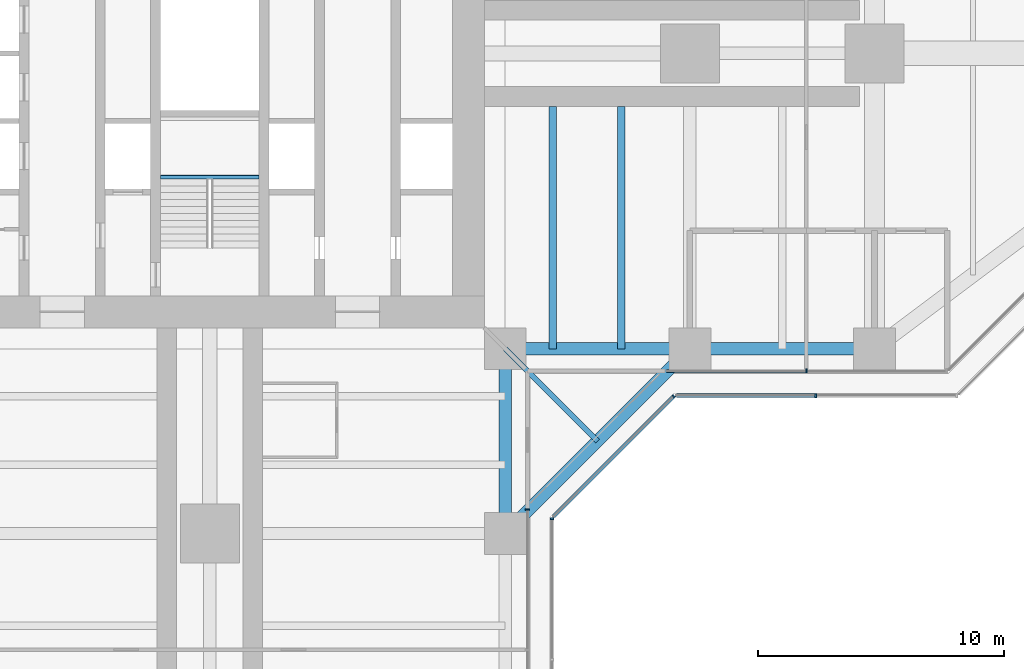
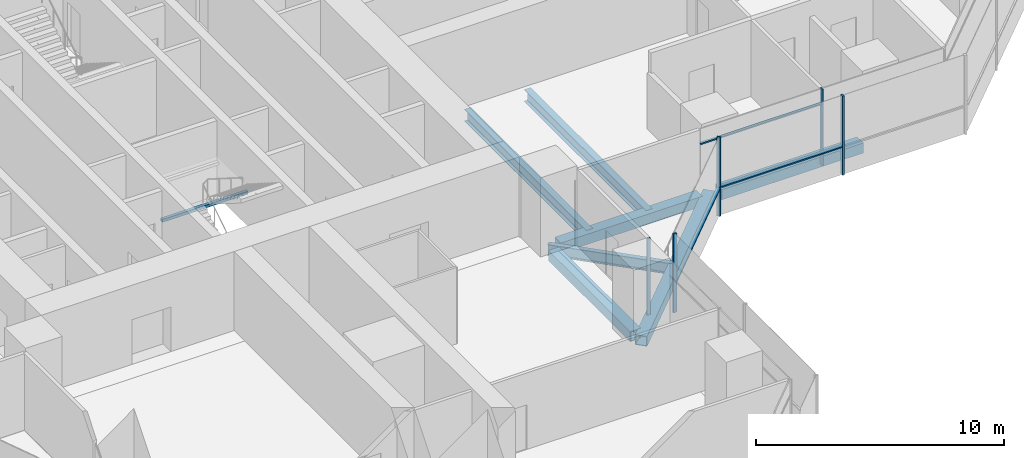
# One storey, part 6 of 22: 8 beams, 8 members, 5 elements without a shape of their own.
"""IFC4 building model written with IfcOpenShell, lengths in metres."""

from ifc_helpers import new_model, si_unit, direction, frame, origin, origin_2d, place, context, subcontext, project, spatial, rectangle, hollow_rectangle, i_section, extrude, material, material_profile, profile_set, type_object, element, aggregate, save


model = new_model("IFC4")

# Units and contexts
model_context = context("Model", 3, precision=1e-05, world=origin(), true_north=direction((0.0, 1.0)))
body_context = subcontext(model_context, "Body", "Model", "MODEL_VIEW")
ifc_project = project(units=[si_unit("LENGTHUNIT", "METRE"), si_unit("AREAUNIT", "SQUARE_METRE"), si_unit("VOLUMEUNIT", "CUBIC_METRE"), si_unit("PLANEANGLEUNIT", "RADIAN"), si_unit("MASSUNIT", "GRAM", prefix="KILO")], contexts=[model_context])

# Site, building, storey
site_placement = place(None, origin())
site = spatial("IfcSite", under=ifc_project, at=site_placement, CompositionType="ELEMENT")
building_placement = place(site_placement, origin())
building = spatial("IfcBuilding", under=site, at=building_placement, Name="Mizan Broadcast Tower", CompositionType="ELEMENT")
storey_placement = place(building_placement, frame((0.0, 0.0, 78.60009765625)))
storey = spatial("IfcBuildingStorey", under=building, at=storey_placement, Name="L16", CompositionType="ELEMENT", Elevation=78.60009765625)

# Beams
ifc_material_1 = material(Name="Steel S355", Category="steel")
ifc_material_profile_1 = material_profile(ifc_material_1, hollow_rectangle(XDim=0.5, YDim=0.5, WallThickness=0.030029296875, at=origin_2d()), Name="BOX 500x500x30")
ifc_profile_set_1 = profile_set([ifc_material_profile_1], Name="Steel S355")
beam_type_1 = type_object("IfcBeamType", Name="EDGE BEAM BOX 500x500x30", PredefinedType="SPANDREL", material=ifc_profile_set_1)
for number, where, z_axis, x_axis, name in (
    (1, (12.449951171875, -12.0, -0.380126953125), (1.0, 0.0, 0.0), (0.0, 1.0, 0.0), "Edge beam BOX 500x500x30 L16 east arm"),
    (2, (19.949951171875, -12.0, -0.380126953125), (1.0, 0.0, 0.0), (0.0, 1.0, 0.0), "Edge beam BOX 500x500x30 L16 east arm"),
    (3, (12.0, -12.449951171875, -0.380126953125), (0.0, -1.0, 0.0), (1.0, 0.0, 0.0), "Edge beam BOX 500x500x30 L16 south arm"),
):
    element("IfcBeam", number, at=place(storey_placement, frame(where, z_axis=z_axis, x_axis=x_axis)), inside=storey, type_object=beam_type_1, Name=name, PredefinedType="SPANDREL", context=body_context, shape_type="SweptSolid", body=[
        extrude(hollow_rectangle(XDim=0.5, YDim=0.5, WallThickness=0.030029296875, at=origin_2d()), origin(), (0.0, 0.0, 1.0), 6.60009765625),
    ])
beam_1_placement = place(storey_placement, frame((12.0, -19.5, -0.380126953125), z_axis=(0.707106781187, 0.707106781187, 0.0), x_axis=(-0.707106781187, 0.707106781187, 0.0)))
element("IfcBeam", 4, at=beam_1_placement, inside=storey, type_object=beam_type_1, Name="Winter garden edge beam L16 S", PredefinedType="SPANDREL", context=body_context, shape_type="SweptSolid", body=[
    extrude(hollow_rectangle(XDim=0.5, YDim=0.5, WallThickness=0.030029296875, at=origin_2d()), origin(), (0.0, 0.0, 1.0), 10.606689453125),
])

# Curtain wall, member
ifc_material_2 = material(Name="Aluminium framed glazing", Category="aluminium")
curtain_wall_type_1 = type_object("IfcCurtainWallType", Name="INNER SKIN LOW ZONE", PredefinedType="USERDEFINED", material=ifc_material_2)
curtain_wall_1_placement = place(storey_placement, origin())
curtain_wall_1 = element("IfcCurtainWall", 5, at=curtain_wall_1_placement, inside=storey, type_object=curtain_wall_type_1, Name="Inner skin low zone L16 E side", ObjectType="INNER SKIN LOW ZONE", PredefinedType="USERDEFINED")
ifc_material_3 = material(Name="Aluminium, pale anodised", Category="aluminium")
ifc_material_profile_2 = material_profile(ifc_material_3, rectangle(XDim=0.159912109375, YDim=0.06005859375, at=origin_2d()), Name="MULLION 160x60")
ifc_profile_set_2 = profile_set([ifc_material_profile_2], Name="Aluminium, pale anodised")
member_type_1 = type_object("IfcMemberType", Name="INNER SKIN MULLION 60x160", PredefinedType="MULLION", material=ifc_profile_set_2)
member_1_placement = place(storey_placement, frame((24.229248046875, -12.89990234375, 0.0), z_axis=(0.0, 0.0, 1.0), x_axis=(0.0, 1.0, 0.0)))
member_1 = element("IfcMember", 6, at=member_1_placement, type_object=member_type_1, Name="Inner skin low zone L16 E side mullion 2", PredefinedType="MULLION", context=body_context, shape_type="SweptSolid", body=[
    extrude(rectangle(XDim=0.159912109375, YDim=0.06005859375, at=origin_2d()), origin(), (0.0, 0.0, 1.0), 3.77001953125),
])

curtain_wall_2_placement = place(storey_placement, origin())
curtain_wall_2 = element("IfcCurtainWall", 7, at=curtain_wall_2_placement, inside=storey, type_object=curtain_wall_type_1, Name="Inner skin low zone L16 S side", ObjectType="INNER SKIN LOW ZONE", PredefinedType="USERDEFINED")
member_2_placement = place(storey_placement, frame((12.89990234375, -18.530029296875, 0.0), z_axis=(0.0, 0.0, 1.0), x_axis=(-1.0, 0.0, 0.0)))
member_2 = element("IfcMember", 8, at=member_2_placement, type_object=member_type_1, Name="Inner skin low zone L16 S side mullion 3", PredefinedType="MULLION", context=body_context, shape_type="SweptSolid", body=[
    extrude(rectangle(XDim=0.159912109375, YDim=0.06005859375, at=origin_2d()), origin(), (0.0, 0.0, 1.0), 3.77001953125),
])
aggregate(curtain_wall_2, [member_2])

# Member
ifc_material_4 = material(Name="Aluminium, pale anodised", Category="aluminium")
ifc_material_profile_3 = material_profile(ifc_material_4, rectangle(XDim=0.1201171875, YDim=0.06005859375, at=origin_2d()), Name="TRANSOM 120x60")
ifc_profile_set_3 = profile_set([ifc_material_profile_3], Name="Aluminium, pale anodised")
member_type_2 = type_object("IfcMemberType", Name="INNER SKIN TRANSOM 60x120", PredefinedType="USERDEFINED", material=ifc_profile_set_3)
member_3_placement = place(storey_placement, frame((18.56005859375, -12.89990234375, 3.02978515625), z_axis=(1.0, 0.0, 0.0), x_axis=(0.0, 1.0, 0.0)))
member_3 = element("IfcMember", 9, at=member_3_placement, type_object=member_type_2, Name="Inner skin low zone L16 E side transom 1.1", ObjectType="TRANSOM", PredefinedType="USERDEFINED", context=body_context, shape_type="SweptSolid", body=[
    extrude(rectangle(XDim=0.1201171875, YDim=0.06005859375, at=origin_2d()), origin(), (0.0, 0.0, 1.0), 5.63916015625),
])

aggregate(curtain_wall_1, [member_1, member_3])

# Beam
ifc_material_5 = material(Name="Steel S355", Category="steel")
ifc_material_profile_4 = material_profile(ifc_material_5, hollow_rectangle(XDim=0.14990234375, YDim=0.14990234375, WallThickness=0.008056640625, InnerFilletRadius=0.008056640625, OuterFilletRadius=0.011962890625, at=origin_2d()), Name="SHS 150x150x8")
ifc_profile_set_4 = profile_set([ifc_material_profile_4], Name="Steel S355")
beam_type_2 = type_object("IfcBeamType", Name="LANDING TRIMMER SHS 150x150x8", PredefinedType="BEAM", material=ifc_profile_set_4)
beam_2_placement = place(storey_placement, frame((-2.0, -5.02490234375, 1.6748046875), z_axis=(1.0, 0.0, 0.0), x_axis=(0.0, 1.0, 0.0)))
element("IfcBeam", 10, at=beam_2_placement, inside=storey, type_object=beam_type_2, Name="Stair A landing trimmer L16", PredefinedType="BEAM", context=body_context, shape_type="SweptSolid", body=[
    extrude(hollow_rectangle(XDim=0.14990234375, YDim=0.14990234375, WallThickness=0.008056640625, InnerFilletRadius=0.008056640625, OuterFilletRadius=0.011962890625, at=origin_2d()), origin(), (0.0, 0.0, 1.0), 4.0),
])

# Curtain wall, member
ifc_material_6 = material(Name="Aluminium framed glazing", Category="aluminium")
curtain_wall_type_2 = type_object("IfcCurtainWallType", Name="OUTER SKIN", PredefinedType="USERDEFINED", material=ifc_material_6)
curtain_wall_3_placement = place(storey_placement, origin())
curtain_wall_3 = element("IfcCurtainWall", 11, at=curtain_wall_3_placement, inside=storey, type_object=curtain_wall_type_2, Name="Outer skin L16 S side", ObjectType="OUTER SKIN", PredefinedType="USERDEFINED")
ifc_material_7 = material(Name="Aluminium, pale anodised", Category="aluminium")
ifc_material_profile_5 = material_profile(ifc_material_7, rectangle(XDim=0.159912109375, YDim=0.080078125, at=origin_2d()), Name="MULLION 160x80")
ifc_profile_set_5 = profile_set([ifc_material_profile_5], Name="Aluminium, pale anodised")
member_type_3 = type_object("IfcMemberType", Name="OUTER SKIN MULLION 80x160", PredefinedType="MULLION", material=ifc_profile_set_5)
member_4_placement = place(storey_placement, frame((13.89990234375, -18.912841796875, 0.0), z_axis=(0.0, 0.0, 1.0), x_axis=(-1.0, 0.0, 0.0)))
member_4 = element("IfcMember", 12, at=member_4_placement, type_object=member_type_3, Name="Outer skin L16 S side mullion 3", PredefinedType="MULLION", context=body_context, shape_type="SweptSolid", body=[
    extrude(rectangle(XDim=0.159912109375, YDim=0.080078125, at=origin_2d()), origin(), (0.0, 0.0, 1.0), 3.89990234375),
])
aggregate(curtain_wall_3, [member_4])

curtain_wall_4_placement = place(storey_placement, origin())
curtain_wall_4 = element("IfcCurtainWall", 13, at=curtain_wall_4_placement, inside=storey, type_object=curtain_wall_type_2, Name="Outer skin L16 E chamfer", ObjectType="OUTER SKIN", PredefinedType="USERDEFINED")
member_5_placement = place(storey_placement, frame((18.844482421875, -13.92822265625, 0.0), z_axis=(0.0, 0.0, 1.0), x_axis=(-0.707106781187, 0.707106781187, 0.0)))
member_5 = element("IfcMember", 14, at=member_5_placement, type_object=member_type_3, Name="Outer skin L16 E chamfer mullion 2", PredefinedType="MULLION", context=body_context, shape_type="SweptSolid", body=[
    extrude(rectangle(XDim=0.159912109375, YDim=0.080078125, at=origin_2d()), origin(), (0.0, 0.0, 1.0), 3.89990234375),
])

curtain_wall_5_placement = place(storey_placement, origin())
curtain_wall_5 = element("IfcCurtainWall", 15, at=curtain_wall_5_placement, inside=storey, type_object=curtain_wall_type_2, Name="Outer skin L16 E side", ObjectType="OUTER SKIN", PredefinedType="USERDEFINED")
member_6_placement = place(storey_placement, frame((24.622802734375, -13.89990234375, 0.0), z_axis=(0.0, 0.0, 1.0), x_axis=(0.0, 1.0, 0.0)))
member_6 = element("IfcMember", 16, at=member_6_placement, type_object=member_type_3, Name="Outer skin L16 E side mullion 2", PredefinedType="MULLION", context=body_context, shape_type="SweptSolid", body=[
    extrude(rectangle(XDim=0.159912109375, YDim=0.080078125, at=origin_2d()), origin(), (0.0, 0.0, 1.0), 3.89990234375),
])

# Member
ifc_material_8 = material(Name="Aluminium, pale anodised", Category="aluminium")
ifc_material_profile_6 = material_profile(ifc_material_8, rectangle(XDim=0.159912109375, YDim=0.06005859375, at=origin_2d()), Name="TRANSOM 160x60")
ifc_profile_set_6 = profile_set([ifc_material_profile_6], Name="Aluminium, pale anodised")
member_type_4 = type_object("IfcMemberType", Name="OUTER SKIN TRANSOM 60x160", PredefinedType="USERDEFINED", material=ifc_profile_set_6)
member_7_placement = place(storey_placement, frame((13.95654296875, -18.816162109375, 1.39990234375), z_axis=(0.707106781187, 0.707106781187, 0.0), x_axis=(-0.707106781187, 0.707106781187, 0.0)))
member_7 = element("IfcMember", 17, at=member_7_placement, type_object=member_type_4, Name="Outer skin L16 E chamfer transom 1.1", ObjectType="TRANSOM", PredefinedType="USERDEFINED", context=body_context, shape_type="SweptSolid", body=[
    extrude(rectangle(XDim=0.159912109375, YDim=0.06005859375, at=origin_2d()), origin(), (0.0, 0.0, 1.0), 6.87255859375),
])

aggregate(curtain_wall_4, [member_5, member_7])

member_8_placement = place(storey_placement, frame((18.952880859375, -13.89990234375, 1.39990234375), z_axis=(1.0, 0.0, 0.0), x_axis=(0.0, 1.0, 0.0)))
member_8 = element("IfcMember", 18, at=member_8_placement, type_object=member_type_4, Name="Outer skin L16 E side transom 1.1", ObjectType="TRANSOM", PredefinedType="USERDEFINED", context=body_context, shape_type="SweptSolid", body=[
    extrude(rectangle(XDim=0.159912109375, YDim=0.06005859375, at=origin_2d()), origin(), (0.0, 0.0, 1.0), 5.6298828125),
])

aggregate(curtain_wall_5, [member_6, member_8])

# Beams
ifc_material_9 = material(Name="Steel S355", Category="steel")
ifc_material_profile_7 = material_profile(ifc_material_9, i_section(OverallWidth=0.300048828125, OverallDepth=0.590087890625, WebThickness=0.012939453125, FlangeThickness=0.02490234375, FilletRadius=0.027099609375, at=origin_2d()), Name="HEA 600")
ifc_profile_set_7 = profile_set([ifc_material_profile_7], Name="Steel S355")
beam_type_3 = type_object("IfcBeamType", Name="SECONDARY BEAM HEA 600", PredefinedType="JOIST", material=ifc_profile_set_7)
for number, where, z_axis, x_axis, name in (
    (19, (13.933349609375, -12.0, -0.425048828125), (0.0, 1.0, 0.0), (-1.0, 0.0, 0.0), "Secondary beam HEA 600 L16 east arm"),
    (20, (16.716552734375, -12.0, -0.425048828125), (0.0, 1.0, 0.0), (-1.0, 0.0, 0.0), "Secondary beam HEA 600 L16 east arm"),
):
    element("IfcBeam", number, at=place(storey_placement, frame(where, z_axis=z_axis, x_axis=x_axis)), inside=storey, type_object=beam_type_3, Name=name, PredefinedType="JOIST", context=body_context, shape_type="SweptSolid", body=[
        extrude(i_section(OverallWidth=0.300048828125, OverallDepth=0.590087890625, WebThickness=0.012939453125, FlangeThickness=0.02490234375, FilletRadius=0.027099609375, at=origin_2d()), origin(), (0.0, 0.0, 1.0), 9.85009765625),
    ])
ifc_material_10 = material(Name="Steel S355", Category="steel")
ifc_material_profile_8 = material_profile(ifc_material_10, i_section(OverallWidth=0.2099609375, OverallDepth=0.550048828125, WebThickness=0.010986328125, FlangeThickness=0.01708984375, FilletRadius=0.02392578125, at=origin_2d()), Name="IPE 550")
ifc_profile_set_8 = profile_set([ifc_material_profile_8], Name="Steel S355")
beam_type_4 = type_object("IfcBeamType", Name="SECONDARY BEAM IPE 550", PredefinedType="JOIST", material=ifc_profile_set_8)
beam_3_placement = place(storey_placement, frame((12.0, -12.0, -0.405029296875), z_axis=(0.707106781187, -0.707106781187, 0.0), x_axis=(0.707106781187, 0.707106781187, 0.0)))
element("IfcBeam", 21, at=beam_3_placement, inside=storey, type_object=beam_type_4, Name="Winter garden beam L16 S", PredefinedType="JOIST", context=body_context, shape_type="SweptSolid", body=[
    extrude(i_section(OverallWidth=0.2099609375, OverallDepth=0.550048828125, WebThickness=0.010986328125, FlangeThickness=0.01708984375, FilletRadius=0.02392578125, at=origin_2d()), origin(), (0.0, 0.0, 1.0), 5.30322265625),
])

save(model, "model.ifc")
